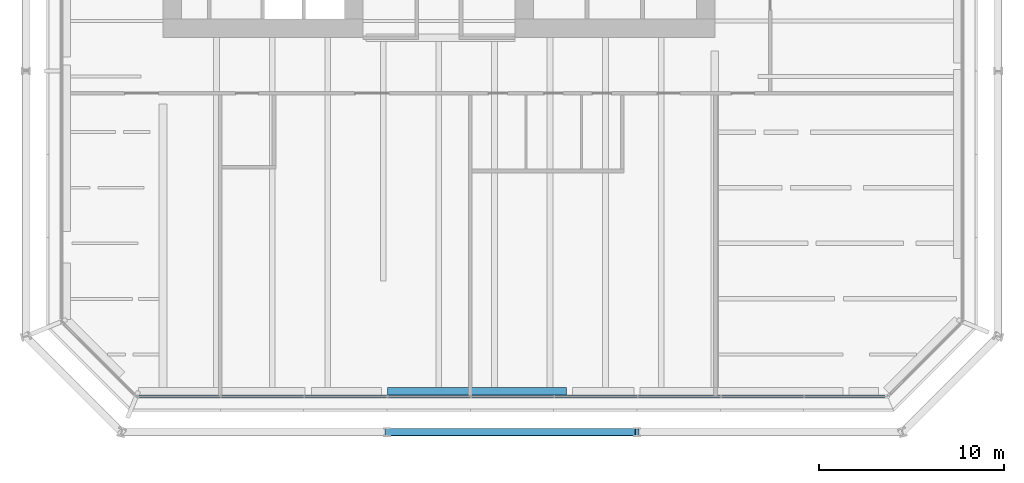
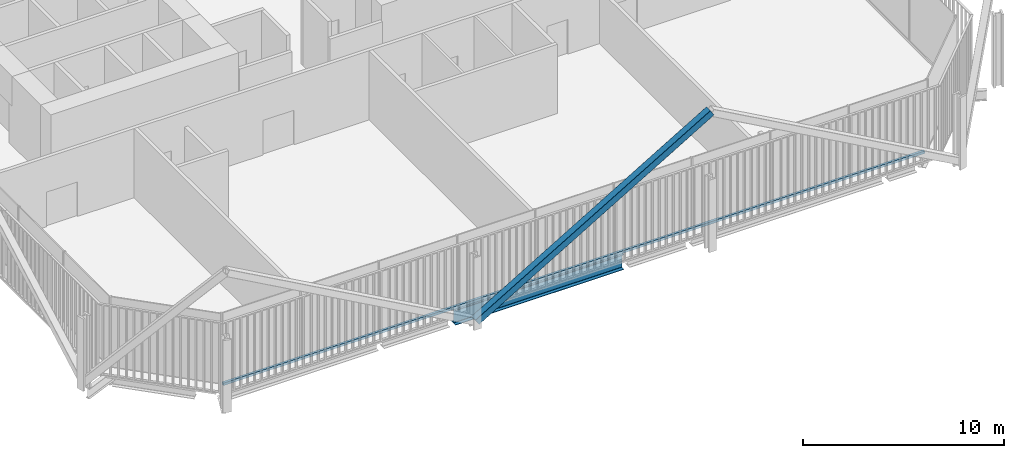
# One storey, part 3 of 21: 2 members, 1 beam, 1 element without a shape of its own.
"""IFC4 building model written with IfcOpenShell, lengths in metres."""

from ifc_helpers import new_model, si_unit, direction, frame, origin, origin_2d, place, context, subcontext, project, spatial, rectangle, hollow_rectangle, i_section, extrude, material, layer, layer_set, material_profile, profile_set, type_object, element, aggregate, save


model = new_model("IFC4")

# Units and contexts
model_context = context("Model", 3, precision=1e-05, world=origin(), true_north=direction((0.0, 1.0)))
body_context = subcontext(model_context, "Body", "Model", "MODEL_VIEW")
ifc_project = project(units=[si_unit("LENGTHUNIT", "METRE"), si_unit("AREAUNIT", "SQUARE_METRE"), si_unit("VOLUMEUNIT", "CUBIC_METRE"), si_unit("PLANEANGLEUNIT", "RADIAN"), si_unit("MASSUNIT", "GRAM", prefix="KILO")], contexts=[model_context])

# Site, building, storey
site_placement = place(None, origin())
site = spatial("IfcSite", under=ifc_project, at=site_placement, CompositionType="ELEMENT")
building_placement = place(site_placement, origin())
building = spatial("IfcBuilding", under=site, at=building_placement, Name="Millrace Tower", CompositionType="ELEMENT")
storey_placement = place(building_placement, frame((0.0, 0.0, 73.199951171875)))
storey = spatial("IfcBuildingStorey", under=building, at=storey_placement, Name="L16", CompositionType="ELEMENT", Elevation=73.199951171875)

# Curtain wall, member
ifc_material_1 = material(Name="Aluminium and glass", Category="aluminium")
ifc_layer = layer(ifc_material_1, 0.14990234375)
ifc_layer_set = layer_set([ifc_layer], Name="Aluminium and glass")
curtain_wall_type = type_object("IfcCurtainWallType", Name="CW-3 telecom floor curtain wall", PredefinedType="NOTDEFINED", material=ifc_layer_set)
curtain_wall_placement = place(storey_placement, origin())
curtain_wall = element("IfcCurtainWall", 1, at=curtain_wall_placement, inside=storey, type_object=curtain_wall_type, Name="Curtain wall B-F02 L16", PredefinedType="NOTDEFINED")
ifc_material_2 = material(Name="Aluminium", Category="aluminium")
ifc_material_profile_1 = material_profile(ifc_material_2, rectangle(XDim=0.14990234375, YDim=0.14990234375, at=origin_2d()))
ifc_profile_set_1 = profile_set([ifc_material_profile_1], Name="Aluminium")
member_type_1 = type_object("IfcMemberType", Name="CW-3 telecom floor curtain wall transom", PredefinedType="USERDEFINED", material=ifc_profile_set_1)
member_1_placement = place(storey_placement, frame((-16.199951171875, -29.27490234375, 0.074951171875), z_axis=(1.0, 0.0, 0.0), x_axis=(0.0, 1.0, 0.0)))
member_1 = element("IfcMember", 2, at=member_1_placement, type_object=member_type_1, Name="CW3 transom B-F02.1", ObjectType="TRANSOM", PredefinedType="USERDEFINED", context=body_context, shape_type="SweptSolid", body=[
    extrude(rectangle(XDim=0.14990234375, YDim=0.14990234375, at=origin_2d()), origin(), (0.0, 0.0, 1.0), 40.300048828125),
])
aggregate(curtain_wall, [member_1])

# Member
ifc_material_3 = material(Name="Steel ASTM A500 Grade C", Category="steel")
ifc_material_profile_2 = material_profile(ifc_material_3, hollow_rectangle(XDim=0.406494140625, YDim=0.406494140625, WallThickness=0.015869140625, InnerFilletRadius=0.008056640625, OuterFilletRadius=0.02392578125, at=origin_2d()))
ifc_profile_set_2 = profile_set([ifc_material_profile_2], Name="Steel ASTM A500 Grade C")
member_type_2 = type_object("IfcMemberType", Name="Exoskeleton brace HSS16x16x5/8", PredefinedType="BRACE", material=ifc_profile_set_2)
member_2_placement = place(storey_placement, frame((-2.800048828125, -31.199951171875, 0.400146484375), z_axis=(0.860291533634, 0.0, 0.509802390302), x_axis=(0.0, 1.0, 0.0)))
element("IfcMember", 3, at=member_2_placement, inside=storey, type_object=member_type_2, Name="BRC-B-L16-03", PredefinedType="BRACE", context=body_context, shape_type="SweptSolid", body=[
    extrude(hollow_rectangle(XDim=0.406494140625, YDim=0.406494140625, WallThickness=0.015869140625, InnerFilletRadius=0.008056640625, OuterFilletRadius=0.02392578125, at=origin_2d()), origin(), (0.0, 0.0, 1.0), 15.6923828125),
])

# Beam
ifc_material_4 = material(Name="Steel ASTM A992 Grade 50", Category="steel")
ifc_material_profile_3 = material_profile(ifc_material_4, i_section(OverallWidth=0.419189453125, OverallDepth=0.927001953125, WebThickness=0.019287109375, FlangeThickness=0.031982421875, FilletRadius=0.024169921875, at=origin_2d()))
ifc_profile_set_3 = profile_set([ifc_material_profile_3], Name="Steel ASTM A992 Grade 50")
beam_type = type_object("IfcBeamType", Name="Ring beam short span W36x231", PredefinedType="SPANDREL", material=ifc_profile_set_3)
beam_placement = place(storey_placement, frame((6.88720703125, -28.990478515625, -0.66357421875), z_axis=(-1.0, 0.0, 0.0), x_axis=(0.0, -1.0, 0.0)))
element("IfcBeam", 4, at=beam_placement, inside=storey, type_object=beam_type, Name="RNG-B-L16-S1-14-b", PredefinedType="SPANDREL", context=body_context, shape_type="SweptSolid", body=[
    extrude(i_section(OverallWidth=0.419189453125, OverallDepth=0.927001953125, WebThickness=0.019287109375, FlangeThickness=0.031982421875, FilletRadius=0.024169921875, at=origin_2d()), origin(), (0.0, 0.0, 1.0), 9.660400390625),
])

save(model, "model.ifc")
